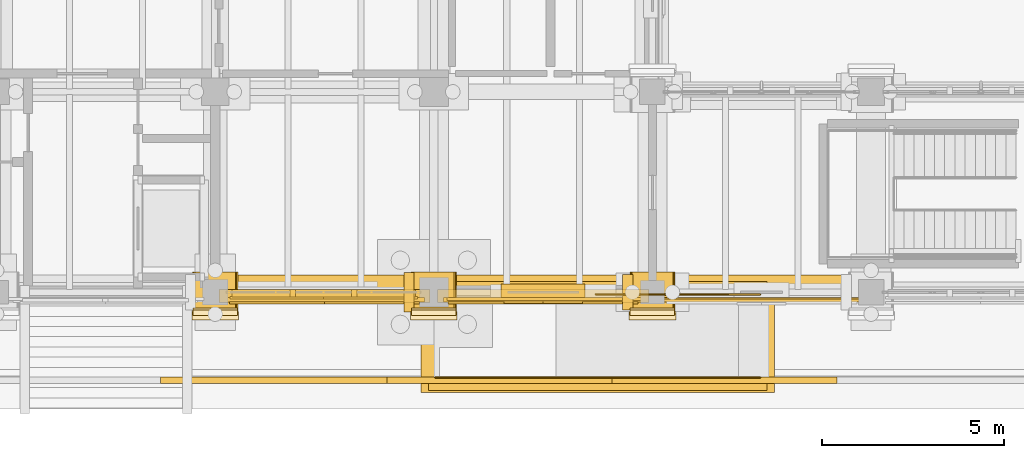
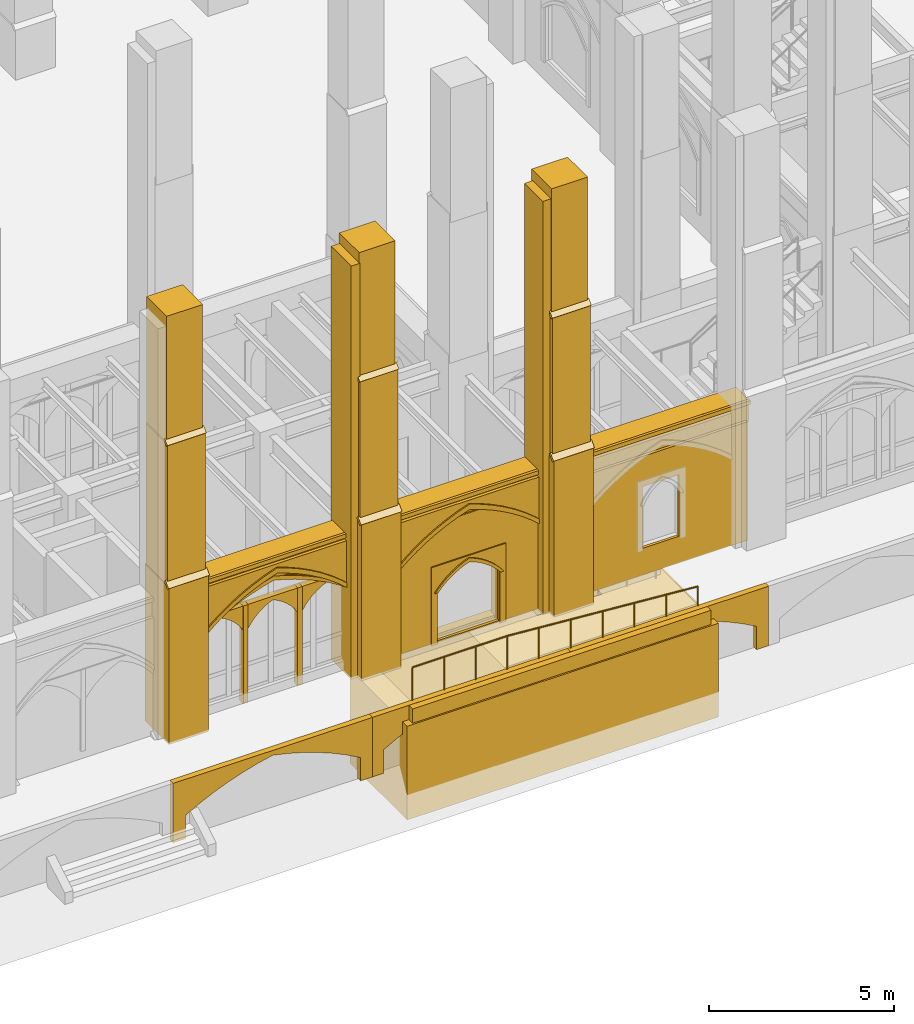
# One storey, part 80 of 135: 44 coverings, 2 railings.
"""IFC4 building model written with IfcOpenShell, lengths in metres."""

from ifc_helpers import new_model, si_unit, direction, frame, origin, origin_2d, place, context, subcontext, project, spatial, polyline, rectangle, circle, outline, extrude, material, type_object, element, save


model = new_model("IFC4")

# Units and contexts
model_context = context("Model", 3, precision=1e-05, world=origin(), true_north=direction((0.0, 1.0)))
body_context = subcontext(model_context, "Body", "Model", "MODEL_VIEW")
ifc_project = project(units=[si_unit("LENGTHUNIT", "METRE"), si_unit("AREAUNIT", "SQUARE_METRE"), si_unit("VOLUMEUNIT", "CUBIC_METRE"), si_unit("PLANEANGLEUNIT", "RADIAN"), si_unit("MASSUNIT", "GRAM", prefix="KILO")], contexts=[model_context])

# Site, building, storey
site_placement = place(None, origin())
site = spatial("IfcSite", under=ifc_project, at=site_placement, CompositionType="ELEMENT")
building_placement = place(site_placement, origin())
building = spatial("IfcBuilding", under=site, at=building_placement, Name="Cumevento Cable Car Station", CompositionType="ELEMENT")
storey_placement = place(building_placement, origin())
storey = spatial("IfcBuildingStorey", under=building, at=storey_placement, Name="L01", CompositionType="ELEMENT", Elevation=0.0)

# Railings
ifc_material_1 = material(Name="Painted Galvanised Architectural Steel", Category="steel")
railing_type = type_object("IfcRailingType", Name="Stair Guardrail GR-S115", PredefinedType="GUARDRAIL", material=ifc_material_1)
railing_1_placement = place(storey_placement, frame((40.050048828125, 1.659912109375, 0.0)))
element("IfcRailing", 1, at=railing_1_placement, inside=storey, type_object=railing_type, Name="Ramp Edge Guardrail RP-02 #194", PredefinedType="GUARDRAIL", context=body_context, shape_type="SweptSolid", body=[
    extrude(circle(Radius=0.02392578125, at=origin_2d()), frame((0.0, 0.0, 1.1259765625), z_axis=(1.0, 0.0, 0.0), x_axis=(0.0, 1.0, 0.0)), (0.0, 0.0, 1.0), 2.949951171875),
    extrude(circle(Radius=0.02392578125, at=origin_2d()), frame((2.949951171875, 0.0, 1.1259765625), z_axis=(0.997152812216, 0.0, -0.075407354352), x_axis=(0.0, 1.0, 0.0)), (0.0, 0.0, 1.0), 5.967041015625),
    extrude(circle(Radius=0.02001953125, at=origin_2d()), origin(), (0.0, 0.0, 1.0), 1.101806640625),
    extrude(circle(Radius=0.02001953125, at=origin_2d()), frame((0.9833984375, 0.0, 0.0)), (0.0, 0.0, 1.0), 1.101806640625),
    extrude(circle(Radius=0.02001953125, at=origin_2d()), frame((1.966552734375, 0.0, 0.0)), (0.0, 0.0, 1.0), 1.101806640625),
    extrude(circle(Radius=0.02001953125, at=origin_2d()), frame((2.949951171875, 0.0, 0.0)), (0.0, 0.0, 1.0), 1.101806640625),
    extrude(circle(Radius=0.02001953125, at=origin_2d()), frame((3.941650390625, 0.0, -0.074951171875)), (0.0, 0.0, 1.0), 1.101806640625),
    extrude(circle(Radius=0.02001953125, at=origin_2d()), frame((4.933349609375, 0.0, -0.14990234375)), (0.0, 0.0, 1.0), 1.101806640625),
    extrude(circle(Radius=0.02001953125, at=origin_2d()), frame((5.9248046875, 0.0, -0.22509765625)), (0.0, 0.0, 1.0), 1.101806640625),
    extrude(circle(Radius=0.02001953125, at=origin_2d()), frame((6.91650390625, 0.0, -0.300048828125)), (0.0, 0.0, 1.0), 1.101806640625),
    extrude(circle(Radius=0.02001953125, at=origin_2d()), frame((7.908203125, 0.0, -0.375)), (0.0, 0.0, 1.0), 1.101806640625),
    extrude(circle(Radius=0.02001953125, at=origin_2d()), frame((8.89990234375, 0.0, -0.449951171875)), (0.0, 0.0, 1.0), 1.101806640625),
])
railing_2_placement = place(storey_placement, frame((44.449951171875, 3.93994140625, -0.108642578125)))
element("IfcRailing", 2, at=railing_2_placement, inside=storey, type_object=railing_type, Name="Ramp Edge Guardrail RP-02 #195", PredefinedType="GUARDRAIL", context=body_context, shape_type="SweptSolid", body=[
    extrude(circle(Radius=0.02392578125, at=origin_2d()), frame((0.0, 0.0, 1.1259765625), z_axis=(0.997136016038, 0.0, -0.075629131425), x_axis=(0.0, 1.0, 0.0)), (0.0, 0.0, 1.0), 4.512939453125),
    extrude(circle(Radius=0.02001953125, at=origin_2d()), origin(), (0.0, 0.0, 1.0), 1.101806640625),
    extrude(circle(Radius=0.02001953125, at=origin_2d()), frame((0.89990234375, 0.0, -0.068359375)), (0.0, 0.0, 1.0), 1.101806640625),
    extrude(circle(Radius=0.02001953125, at=origin_2d()), frame((1.800048828125, 0.0, -0.136474609375)), (0.0, 0.0, 1.0), 1.101806640625),
    extrude(circle(Radius=0.02001953125, at=origin_2d()), frame((2.699951171875, 0.0, -0.204833984375)), (0.0, 0.0, 1.0), 1.101806640625),
    extrude(circle(Radius=0.02001953125, at=origin_2d()), frame((3.60009765625, 0.0, -0.27294921875)), (0.0, 0.0, 1.0), 1.101806640625),
    extrude(circle(Radius=0.02001953125, at=origin_2d()), frame((4.5, 0.0, -0.34130859375)), (0.0, 0.0, 1.0), 1.101806640625),
])

# Coverings
ifc_material_2 = material(Name="Gnaisse Facoidal Stone Ashlar 85 MPa", Category="masonry")
covering_type = type_object("IfcCoveringType", Name="Gnaisse Ashlar Cladding CV-CL01", PredefinedType="CLADDING", material=ifc_material_2)
covering_1_placement = place(storey_placement, frame((34.0, 3.909912109375, -0.06005859375), z_axis=(0.0, 0.0, 1.0), x_axis=(1.0, 0.0, 0.0)))
element("IfcCovering", 3, at=covering_1_placement, inside=storey, type_object=covering_type, Name="Stepped Gothic Stone Buttress Tier 1 bt:34.0:4.0", PredefinedType="CLADDING", context=body_context, shape_type="SweptSolid", body=[
    extrude(rectangle(XDim=1.239990234375, YDim=1.300048828125, at=origin_2d()), origin(), (0.0, 0.0, 1.0), 5.175537109375),
])
covering_2_placement = place(storey_placement, frame((33.360107421875, 3.239990234375, 5.095703125), z_axis=(0.0, -0.711135781079, 0.703054692658), x_axis=(1.0, 0.0, 0.0)))
element("IfcCovering", 4, at=covering_2_placement, inside=storey, type_object=covering_type, Name="Gothic Buttress Sloped Stone Weathering 1 bt:34.0:4.0", PredefinedType="CLADDING", context=body_context, shape_type="SweptSolid", body=[
    extrude(outline(polyline([(0.0, 0.0), (1.27978515625, 0.0), (1.27978515625, 0.24169083397703695), (0.0, 0.24169083397703695), (0.0, 0.0)])), origin(), (0.0, 0.0, -1.0), 0.090087890625),
])
covering_3_placement = place(storey_placement, frame((34.0, 3.969970703125, 4.84326171875), z_axis=(0.0, 0.0, 1.0), x_axis=(1.0, 0.0, 0.0)))
element("IfcCovering", 5, at=covering_3_placement, inside=storey, type_object=covering_type, Name="Stepped Gothic Stone Buttress Tier 2 bt:34.0:4.0", PredefinedType="CLADDING", context=body_context, shape_type="SweptSolid", body=[
    extrude(rectangle(XDim=1.179931640625, YDim=1.179931640625, at=origin_2d()), origin(), (0.0, 0.0, 1.0), 4.9033203125),
])
covering_4_placement = place(storey_placement, frame((33.389892578125, 3.360107421875, 9.726318359375), z_axis=(0.0, -0.714474823669, 0.699661151089), x_axis=(1.0, 0.0, 0.0)))
element("IfcCovering", 6, at=covering_4_placement, inside=storey, type_object=covering_type, Name="Gothic Buttress Sloped Stone Weathering 2 bt:34.0:4.0", PredefinedType="CLADDING", context=body_context, shape_type="SweptSolid", body=[
    extrude(outline(polyline([(0.0, 0.0), (1.22021484375, 0.0), (1.22021484375, 0.21424991728737655), (0.0, 0.21424991728737655), (0.0, 0.0)])), origin(), (0.0, 0.0, -1.0), 0.090087890625),
])
covering_5_placement = place(storey_placement, frame((34.0, 4.02001953125, 9.47412109375), z_axis=(0.0, 0.0, 1.0), x_axis=(1.0, 0.0, 0.0)))
element("IfcCovering", 7, at=covering_5_placement, inside=storey, type_object=covering_type, Name="Stepped Gothic Stone Buttress Tier 3 bt:34.0:4.0", PredefinedType="CLADDING", context=body_context, shape_type="SweptSolid", body=[
    extrude(rectangle(XDim=1.1201171875, YDim=1.080078125, at=origin_2d()), origin(), (0.0, 0.0, 1.0), 4.426025390625),
])
covering_6_placement = place(storey_placement, frame((40.0, 3.909912109375, -0.06005859375), z_axis=(0.0, 0.0, 1.0), x_axis=(1.0, 0.0, 0.0)))
element("IfcCovering", 8, at=covering_6_placement, inside=storey, type_object=covering_type, Name="Stepped Gothic Stone Buttress Tier 1 bt:40.0:4.0", PredefinedType="CLADDING", context=body_context, shape_type="SweptSolid", body=[
    extrude(rectangle(XDim=1.239990234375, YDim=1.300048828125, at=origin_2d()), origin(), (0.0, 0.0, 1.0), 5.175537109375),
])
covering_7_placement = place(storey_placement, frame((39.360107421875, 3.239990234375, 5.095703125), z_axis=(0.0, -0.711135781079, 0.703054692658), x_axis=(1.0, 0.0, 0.0)))
element("IfcCovering", 9, at=covering_7_placement, inside=storey, type_object=covering_type, Name="Gothic Buttress Sloped Stone Weathering 1 bt:40.0:4.0", PredefinedType="CLADDING", context=body_context, shape_type="SweptSolid", body=[
    extrude(outline(polyline([(0.0, 0.0), (1.27978515625, 0.0), (1.27978515625, 0.24169083397703695), (0.0, 0.24169083397703695), (0.0, 0.0)])), origin(), (0.0, 0.0, -1.0), 0.090087890625),
])
covering_8_placement = place(storey_placement, frame((40.0, 3.969970703125, 4.84326171875), z_axis=(0.0, 0.0, 1.0), x_axis=(1.0, 0.0, 0.0)))
element("IfcCovering", 10, at=covering_8_placement, inside=storey, type_object=covering_type, Name="Stepped Gothic Stone Buttress Tier 2 bt:40.0:4.0", PredefinedType="CLADDING", context=body_context, shape_type="SweptSolid", body=[
    extrude(rectangle(XDim=1.179931640625, YDim=1.179931640625, at=origin_2d()), origin(), (0.0, 0.0, 1.0), 4.9033203125),
])
covering_9_placement = place(storey_placement, frame((39.389892578125, 3.360107421875, 9.726318359375), z_axis=(0.0, -0.714474823669, 0.699661151089), x_axis=(1.0, 0.0, 0.0)))
element("IfcCovering", 11, at=covering_9_placement, inside=storey, type_object=covering_type, Name="Gothic Buttress Sloped Stone Weathering 2 bt:40.0:4.0", PredefinedType="CLADDING", context=body_context, shape_type="SweptSolid", body=[
    extrude(outline(polyline([(0.0, 0.0), (1.22021484375, 0.0), (1.22021484375, 0.21424991728737655), (0.0, 0.21424991728737655), (0.0, 0.0)])), origin(), (0.0, 0.0, -1.0), 0.090087890625),
])
covering_10_placement = place(storey_placement, frame((40.0, 4.02001953125, 9.47412109375), z_axis=(0.0, 0.0, 1.0), x_axis=(1.0, 0.0, 0.0)))
element("IfcCovering", 12, at=covering_10_placement, inside=storey, type_object=covering_type, Name="Stepped Gothic Stone Buttress Tier 3 bt:40.0:4.0", PredefinedType="CLADDING", context=body_context, shape_type="SweptSolid", body=[
    extrude(rectangle(XDim=1.1201171875, YDim=1.080078125, at=origin_2d()), origin(), (0.0, 0.0, 1.0), 4.426025390625),
])
covering_11_placement = place(storey_placement, frame((39.320068359375, 4.0, -0.06005859375), z_axis=(0.0, 0.0, 1.0), x_axis=(1.0, 0.0, 0.0)))
element("IfcCovering", 13, at=covering_11_placement, inside=storey, type_object=covering_type, Name="Corner Buttress Stone Return (40.0,4.0)", PredefinedType="CLADDING", context=body_context, shape_type="SweptSolid", body=[
    extrude(rectangle(XDim=0.280029296875, YDim=1.080078125, at=origin_2d()), origin(), (0.0, 0.0, 1.0), 13.6201171875),
])
covering_12_placement = place(storey_placement, frame((46.0, 3.909912109375, -0.06005859375), z_axis=(0.0, 0.0, 1.0), x_axis=(1.0, 0.0, 0.0)))
element("IfcCovering", 14, at=covering_12_placement, inside=storey, type_object=covering_type, Name="Stepped Gothic Stone Buttress Tier 1 bt:46.0:4.0", PredefinedType="CLADDING", context=body_context, shape_type="SweptSolid", body=[
    extrude(rectangle(XDim=1.239990234375, YDim=1.300048828125, at=origin_2d()), origin(), (0.0, 0.0, 1.0), 5.175537109375),
])
covering_13_placement = place(storey_placement, frame((45.360107421875, 3.239990234375, 5.095703125), z_axis=(0.0, -0.711135781079, 0.703054692658), x_axis=(1.0, 0.0, 0.0)))
element("IfcCovering", 15, at=covering_13_placement, inside=storey, type_object=covering_type, Name="Gothic Buttress Sloped Stone Weathering 1 bt:46.0:4.0", PredefinedType="CLADDING", context=body_context, shape_type="SweptSolid", body=[
    extrude(outline(polyline([(0.0, 0.0), (1.27978515625, 0.0), (1.27978515625, 0.24169083397703695), (0.0, 0.24169083397703695), (0.0, 0.0)])), origin(), (0.0, 0.0, -1.0), 0.090087890625),
])
covering_14_placement = place(storey_placement, frame((46.0, 3.969970703125, 4.84326171875), z_axis=(0.0, 0.0, 1.0), x_axis=(1.0, 0.0, 0.0)))
element("IfcCovering", 16, at=covering_14_placement, inside=storey, type_object=covering_type, Name="Stepped Gothic Stone Buttress Tier 2 bt:46.0:4.0", PredefinedType="CLADDING", context=body_context, shape_type="SweptSolid", body=[
    extrude(rectangle(XDim=1.179931640625, YDim=1.179931640625, at=origin_2d()), origin(), (0.0, 0.0, 1.0), 4.9033203125),
])
covering_15_placement = place(storey_placement, frame((45.389892578125, 3.360107421875, 9.726318359375), z_axis=(0.0, -0.714474823669, 0.699661151089), x_axis=(1.0, 0.0, 0.0)))
element("IfcCovering", 17, at=covering_15_placement, inside=storey, type_object=covering_type, Name="Gothic Buttress Sloped Stone Weathering 2 bt:46.0:4.0", PredefinedType="CLADDING", context=body_context, shape_type="SweptSolid", body=[
    extrude(outline(polyline([(0.0, 0.0), (1.22021484375, 0.0), (1.22021484375, 0.21424991728737655), (0.0, 0.21424991728737655), (0.0, 0.0)])), origin(), (0.0, 0.0, -1.0), 0.090087890625),
])
covering_16_placement = place(storey_placement, frame((46.0, 4.02001953125, 9.47412109375), z_axis=(0.0, 0.0, 1.0), x_axis=(1.0, 0.0, 0.0)))
element("IfcCovering", 18, at=covering_16_placement, inside=storey, type_object=covering_type, Name="Stepped Gothic Stone Buttress Tier 3 bt:46.0:4.0", PredefinedType="CLADDING", context=body_context, shape_type="SweptSolid", body=[
    extrude(rectangle(XDim=1.1201171875, YDim=1.080078125, at=origin_2d()), origin(), (0.0, 0.0, 1.0), 4.426025390625),
])
covering_17_placement = place(storey_placement, frame((45.320068359375, 4.0, -0.06005859375), z_axis=(0.0, 0.0, 1.0), x_axis=(1.0, 0.0, 0.0)))
element("IfcCovering", 19, at=covering_17_placement, inside=storey, type_object=covering_type, Name="Corner Buttress Stone Return (46.0,4.0)", PredefinedType="CLADDING", context=body_context, shape_type="SweptSolid", body=[
    extrude(rectangle(XDim=0.280029296875, YDim=0.97998046875, at=origin_2d()), origin(), (0.0, 0.0, 1.0), 13.6201171875),
])
covering_18_placement = place(storey_placement, frame((36.97509765625, 4.14990234375, 3.821044921875), z_axis=(0.0, 0.0, 1.0), x_axis=(-1.0, 0.0, 0.0)))
element("IfcCovering", 20, at=covering_18_placement, inside=storey, type_object=covering_type, Name="Gothic Stone Spandrel Stringcourse sc:0003", PredefinedType="CLADDING", context=body_context, shape_type="SweptSolid", body=[
    extrude(rectangle(XDim=5.489990234375, YDim=0.659912109375, at=origin_2d()), origin(), (0.0, 0.0, 1.0), 0.7470703125),
])
covering_19_placement = place(storey_placement, frame((36.97509765625, 3.79248046875, 4.43798828125), z_axis=(0.0, 0.0, 1.0), x_axis=(-1.0, 0.0, 0.0)))
element("IfcCovering", 21, at=covering_19_placement, inside=storey, type_object=covering_type, Name="Gothic Cornice Dripstone Lip sc:0003", PredefinedType="CLADDING", context=body_context, shape_type="SweptSolid", body=[
    extrude(rectangle(XDim=5.530029296875, YDim=0.114990234375, at=origin_2d()), origin(), (0.0, 0.0, 1.0), 0.1298828125),
])
covering_20_placement = place(storey_placement, frame((43.03759765625, 4.14990234375, 3.80908203125), z_axis=(0.0, 0.0, 1.0), x_axis=(-1.0, 0.0, 0.0)))
element("IfcCovering", 22, at=covering_20_placement, inside=storey, type_object=covering_type, Name="Gothic Stone Spandrel Stringcourse sc:0004", PredefinedType="CLADDING", context=body_context, shape_type="SweptSolid", body=[
    extrude(rectangle(XDim=5.514892578125, YDim=0.659912109375, at=origin_2d()), origin(), (0.0, 0.0, 1.0), 0.7470703125),
])
covering_21_placement = place(storey_placement, frame((43.03759765625, 3.79248046875, 4.426025390625), z_axis=(0.0, 0.0, 1.0), x_axis=(-1.0, 0.0, 0.0)))
element("IfcCovering", 23, at=covering_21_placement, inside=storey, type_object=covering_type, Name="Gothic Cornice Dripstone Lip sc:0004", PredefinedType="CLADDING", context=body_context, shape_type="SweptSolid", body=[
    extrude(rectangle(XDim=5.554931640625, YDim=0.114990234375, at=origin_2d()), origin(), (0.0, 0.0, 1.0), 0.1298828125),
])
covering_22_placement = place(storey_placement, frame((48.987548828125, 4.14990234375, 3.80908203125), z_axis=(0.0, 0.0, 1.0), x_axis=(-1.0, 0.0, 0.0)))
element("IfcCovering", 24, at=covering_22_placement, inside=storey, type_object=covering_type, Name="Gothic Stone Spandrel Stringcourse sc:0012", PredefinedType="CLADDING", context=body_context, shape_type="SweptSolid", body=[
    extrude(rectangle(XDim=5.56494140625, YDim=0.659912109375, at=origin_2d()), origin(), (0.0, 0.0, 1.0), 0.7470703125),
])
covering_23_placement = place(storey_placement, frame((48.987548828125, 3.79248046875, 4.426025390625), z_axis=(0.0, 0.0, 1.0), x_axis=(-1.0, 0.0, 0.0)))
element("IfcCovering", 25, at=covering_23_placement, inside=storey, type_object=covering_type, Name="Gothic Cornice Dripstone Lip sc:0012", PredefinedType="CLADDING", context=body_context, shape_type="SweptSolid", body=[
    extrude(rectangle(XDim=5.60498046875, YDim=0.114990234375, at=origin_2d()), origin(), (0.0, 0.0, 1.0), 0.1298828125),
])
placement = place(storey_placement, frame((39.60009765625, 4.0, 0.0), z_axis=(0.0, 0.0, 1.0), x_axis=(-1.0, 0.0, 0.0)))
element("IfcCovering", 26, at=placement, inside=storey, type_object=covering_type, Name="Gothic Ogival Pointed-Arch Stone Spandrel cw_ogival:0003", PredefinedType="CLADDING", context=body_context, shape_type="SweptSolid", body=[
    extrude(outline(polyline([(-0.080078125, 0.0), (-0.080078125, 3.9609375), (5.330078125, 3.9609375), (5.330078125, 0.0), (5.090087890625, 0.0), (5.090087890625, 2.595458984375), (4.810546875, 2.794677734375), (4.521484375, 2.9794921875), (4.223388671875, 3.1494140625), (3.9169921875, 3.303955078125), (3.60302734375, 3.442626953125), (3.282470703125, 3.5654296875), (2.956298828125, 3.671630859375), (2.625, 3.760986328125), (2.293701171875, 3.671630859375), (1.967529296875, 3.5654296875), (1.64697265625, 3.442626953125), (1.3330078125, 3.303955078125), (1.026611328125, 3.1494140625), (0.728515625, 2.9794921875), (0.439453125, 2.794677734375), (0.159912109375, 2.595458984375), (0.159912109375, 0.0), (-0.080078125, 0.0)])), frame((0.0, 0.139892578125, 0.0), z_axis=(0.0, -1.0, 0.0), x_axis=(1.0, 0.0, 0.0)), (0.0, 0.0, 1.0), 0.219970703125),
])
covering_25_placement = place(storey_placement, frame((39.60009765625, 4.0, 2.595458984375), z_axis=(0.0, 0.0, 1.0), x_axis=(-1.0, 0.0, 0.0)))
element("IfcCovering", 27, at=covering_25_placement, inside=storey, type_object=covering_type, Name="Gothic Pointed Archivolt Hood Moulding cw_ogival:0003", PredefinedType="CLADDING", context=body_context, shape_type="SweptSolid", body=[
    extrude(outline(polyline([(0.159912109375, 0.0), (0.439453125, 0.19921875), (0.728515625, 0.384033203125), (1.026611328125, 0.553955078125), (1.3330078125, 0.70849609375), (1.64697265625, 0.84716796875), (1.967529296875, 0.969970703125), (2.293701171875, 1.076171875), (2.625, 1.16552734375), (2.956298828125, 1.076171875), (3.282470703125, 0.969970703125), (3.60302734375, 0.84716796875), (3.9169921875, 0.70849609375), (4.223388671875, 0.553955078125), (4.521484375, 0.384033203125), (4.810546875, 0.19921875), (5.090087890625, 0.0), (5.199951171875, 0.0), (4.912109375, 0.221923828125), (4.61279296875, 0.42822265625), (4.302734375, 0.617919921875), (3.98291015625, 0.790771484375), (3.654296875, 0.946044921875), (3.31787109375, 1.08349609375), (2.974365234375, 1.20263671875), (2.625, 1.302978515625), (2.275634765625, 1.20263671875), (1.93212890625, 1.08349609375), (1.595703125, 0.946044921875), (1.26708984375, 0.790771484375), (0.947265625, 0.617919921875), (0.63720703125, 0.42822265625), (0.337890625, 0.221923828125), (0.050048828125, 0.0), (0.159912109375, 0.0)])), frame((0.0, 0.181884765625, 0.0), z_axis=(0.0, -1.0, 0.0), x_axis=(1.0, 0.0, 0.0)), (0.0, 0.0, 1.0), 0.06689453125),
])
element("IfcCovering", 28, at=placement, inside=storey, type_object=covering_type, Name="Gothic Bifora Stone Colonnette cw_ogival:0003 #1", PredefinedType="CLADDING", context=body_context, shape_type="SweptSolid", body=[
    extrude(outline(polyline([(1.703369140625, -0.02001953125), (1.853271484375, -0.02001953125), (1.853271484375, 3.201416015625), (1.703369140625, 3.201416015625), (1.703369140625, -0.02001953125)])), frame((0.0, 0.1279296875, 0.0), z_axis=(0.0, -1.0, 0.0), x_axis=(1.0, 0.0, 0.0)), (0.0, 0.0, 1.0), 0.205078125),
])
element("IfcCovering", 29, at=placement, inside=storey, type_object=covering_type, Name="Gothic Bifora Stone Colonnette cw_ogival:0003 #2", PredefinedType="CLADDING", context=body_context, shape_type="SweptSolid", body=[
    extrude(outline(polyline([(3.396728515625, -0.02001953125), (3.546630859375, -0.02001953125), (3.546630859375, 3.201416015625), (3.396728515625, 3.201416015625), (3.396728515625, -0.02001953125)])), frame((0.0, 0.1279296875, 0.0), z_axis=(0.0, -1.0, 0.0), x_axis=(1.0, 0.0, 0.0)), (0.0, 0.0, 1.0), 0.205078125),
])
for number, where, z_axis, x_axis, name in (
    (30, (39.469970703125, 4.0, 2.415283203125), (0.0, 0.0, 1.0), (-1.0, 0.0, 0.0), "Gothic Ogival Pointed-Arch Stone Spandrel cw_ogival:0003:sub:0"),
    (31, (37.776611328125, 4.0, 2.415283203125), (0.0, 0.0, 1.0), (-1.0, 0.0, 0.0), "Gothic Ogival Pointed-Arch Stone Spandrel cw_ogival:0003:sub:1"),
    (32, (36.083251953125, 4.0, 2.415283203125), (0.0, 0.0, 1.0), (-1.0, 0.0, 0.0), "Gothic Ogival Pointed-Arch Stone Spandrel cw_ogival:0003:sub:2"),
):
    element("IfcCovering", number, at=place(storey_placement, frame(where, z_axis=z_axis, x_axis=x_axis)), inside=storey, type_object=covering_type, Name=name, PredefinedType="CLADDING", context=body_context, shape_type="SweptSolid", body=[
        extrude(outline(polyline([(-0.02001953125, 0.0), (-0.02001953125, 0.7861328125), (1.623291015625, 0.7861328125), (1.623291015625, 0.0), (1.563232421875, 0.0), (1.4697265625, 0.143798828125), (1.36083984375, 0.276611328125), (1.238037109375, 0.396484375), (1.102783203125, 0.502197265625), (0.956787109375, 0.592529296875), (0.8017578125, 0.666015625), (0.646484375, 0.592529296875), (0.50048828125, 0.502197265625), (0.365234375, 0.396484375), (0.242431640625, 0.276611328125), (0.133544921875, 0.143798828125), (0.0400390625, 0.0), (-0.02001953125, 0.0)])), frame((0.0, 0.1240234375, 0.0), z_axis=(0.0, -1.0, 0.0), x_axis=(1.0, 0.0, 0.0)), (0.0, 0.0, 1.0), 0.199951171875),
    ])
covering_28_placement = place(storey_placement, frame((45.675048828125, 4.0, 0.0), z_axis=(0.0, 0.0, 1.0), x_axis=(-1.0, 0.0, 0.0)))
element("IfcCovering", 33, at=covering_28_placement, inside=storey, type_object=covering_type, Name="Exterior Gnaisse Stone Wall Ashlar #112", PredefinedType="CLADDING", context=body_context, shape_type="SweptSolid", body=[
    extrude(outline(polyline([(-0.0400390625, -0.02001953125), (5.31494140625, -0.02001953125), (5.31494140625, 3.888916015625), (-0.0400390625, 3.888916015625), (-0.0400390625, -0.02001953125)]), holes=[polyline([(1.7099609375, 0.02001953125), (3.639892578125, 0.02001953125), (3.639892578125, 2.2900390625), (1.7099609375, 2.2900390625), (1.7099609375, 0.02001953125)])]), frame((0.0, 0.22998046875, 0.0), z_axis=(0.0, -1.0, 0.0), x_axis=(1.0, 0.0, 0.0)), (0.0, 0.0, 1.0), 0.0849609375),
])
covering_29_placement = place(storey_placement, frame((44.114990234375, 4.0, -0.050048828125), z_axis=(0.0, 0.0, 1.0), x_axis=(-1.0, 0.0, 0.0)))
element("IfcCovering", 34, at=covering_29_placement, inside=storey, type_object=covering_type, Name="Gothic Ogival Pointed-Arch Stone Spandrel op_ogival:0112:1", PredefinedType="CLADDING", context=body_context, shape_type="SweptSolid", body=[
    extrude(outline(polyline([(-0.0400390625, 0.0), (-0.0400390625, 2.570068359375), (2.27001953125, 2.570068359375), (2.27001953125, 0.0), (2.090087890625, 0.0), (2.090087890625, 1.7060546875), (1.9765625, 1.8359375), (1.853271484375, 1.956298828125), (1.720458984375, 2.066162109375), (1.579345703125, 2.165283203125), (1.4306640625, 2.25244140625), (1.275634765625, 2.32763671875), (1.114990234375, 2.39013671875), (0.954345703125, 2.32763671875), (0.79931640625, 2.25244140625), (0.650634765625, 2.165283203125), (0.509521484375, 2.066162109375), (0.376708984375, 1.956298828125), (0.25341796875, 1.8359375), (0.139892578125, 1.7060546875), (0.139892578125, 0.0), (-0.0400390625, 0.0)])), frame((0.0, 0.26806640625, 0.0), z_axis=(0.0, -1.0, 0.0), x_axis=(1.0, 0.0, 0.0)), (0.0, 0.0, 1.0), 0.489990234375),
])
covering_30_placement = place(storey_placement, frame((44.114990234375, 4.0, 1.656005859375), z_axis=(0.0, 0.0, 1.0), x_axis=(-1.0, 0.0, 0.0)))
element("IfcCovering", 35, at=covering_30_placement, inside=storey, type_object=covering_type, Name="Gothic Pointed Archivolt Hood Moulding op_ogival:0112:1", PredefinedType="CLADDING", context=body_context, shape_type="SweptSolid", body=[
    extrude(outline(polyline([(0.139892578125, 0.0), (0.25341796875, 0.1298828125), (0.376708984375, 0.250244140625), (0.509521484375, 0.360107421875), (0.650634765625, 0.459228515625), (0.79931640625, 0.54638671875), (0.954345703125, 0.62158203125), (1.114990234375, 0.68408203125), (1.275634765625, 0.62158203125), (1.4306640625, 0.54638671875), (1.579345703125, 0.459228515625), (1.720458984375, 0.360107421875), (1.853271484375, 0.250244140625), (1.9765625, 0.1298828125), (2.090087890625, 0.0), (2.18896484375, 0.0), (2.06787109375, 0.15234375), (1.93408203125, 0.294189453125), (1.788818359375, 0.423828125), (1.63330078125, 0.541015625), (1.46826171875, 0.64453125), (1.295166015625, 0.733642578125), (1.114990234375, 0.807861328125), (0.934814453125, 0.733642578125), (0.76171875, 0.64453125), (0.5966796875, 0.541015625), (0.441162109375, 0.423828125), (0.2958984375, 0.294189453125), (0.162109375, 0.15234375), (0.041015625, 0.0), (0.139892578125, 0.0)])), frame((0.0, 0.31005859375, 0.0), z_axis=(0.0, -1.0, 0.0), x_axis=(1.0, 0.0, 0.0)), (0.0, 0.0, 1.0), 0.06689453125),
])
covering_31_placement = place(storey_placement, frame((51.64990234375, 4.0, 0.0), z_axis=(0.0, 0.0, 1.0), x_axis=(-1.0, 0.0, 0.0)))
element("IfcCovering", 36, at=covering_31_placement, inside=storey, type_object=covering_type, Name="Exterior Gnaisse Stone Wall Ashlar #117", PredefinedType="CLADDING", context=body_context, shape_type="SweptSolid", body=[
    extrude(outline(polyline([(-0.0400390625, -0.02001953125), (5.364990234375, -0.02001953125), (5.364990234375, 3.888916015625), (-0.0400390625, 3.888916015625), (-0.0400390625, -0.02001953125)]), holes=[polyline([(2.097412109375, 0.860107421875), (3.2275390625, 0.860107421875), (3.2275390625, 2.889892578125), (2.097412109375, 2.889892578125), (2.097412109375, 0.860107421875)])]), frame((0.0, 0.27001953125, 0.0), z_axis=(0.0, -1.0, 0.0), x_axis=(1.0, 0.0, 0.0)), (0.0, 0.0, 1.0), 0.0849609375),
])
covering_32_placement = place(storey_placement, frame((39.64990234375, 4.0, 0.0), z_axis=(0.0, 0.0, 1.0), x_axis=(-1.0, 0.0, 0.0)))
element("IfcCovering", 37, at=covering_32_placement, inside=storey, type_object=covering_type, Name="Gothic Ogival Pointed-Arch Stone Spandrel south_arcade:01", PredefinedType="CLADDING", context=body_context, shape_type="SweptSolid", body=[
    extrude(outline(polyline([(-0.25, 0.0), (-0.25, 4.35009765625), (5.550048828125, 4.35009765625), (5.550048828125, 0.0), (5.1201171875, 0.0), (5.1201171875, 2.550048828125), (4.85791015625, 2.80615234375), (4.580078125, 3.044921875), (4.287841796875, 3.265869140625), (3.98193359375, 3.467529296875), (3.6640625, 3.649658203125), (3.335205078125, 3.81103515625), (2.996826171875, 3.951416015625), (2.64990234375, 4.070068359375), (2.30322265625, 3.951416015625), (1.96484375, 3.81103515625), (1.635986328125, 3.649658203125), (1.318115234375, 3.467529296875), (1.01220703125, 3.265869140625), (0.719970703125, 3.044921875), (0.442138671875, 2.80615234375), (0.179931640625, 2.550048828125), (0.179931640625, 0.0), (-0.25, 0.0)])), frame((0.0, 0.280029296875, 0.0), z_axis=(0.0, -1.0, 0.0), x_axis=(1.0, 0.0, 0.0)), (0.0, 0.0, 1.0), 0.360107421875),
])
covering_33_placement = place(storey_placement, frame((39.64990234375, 4.0, 2.550048828125), z_axis=(0.0, 0.0, 1.0), x_axis=(-1.0, 0.0, 0.0)))
element("IfcCovering", 38, at=covering_33_placement, inside=storey, type_object=covering_type, Name="Gothic Pointed Archivolt Hood Moulding south_arcade:01", PredefinedType="CLADDING", context=body_context, shape_type="SweptSolid", body=[
    extrude(outline(polyline([(0.179931640625, 0.0), (0.442138671875, 0.256103515625), (0.719970703125, 0.494873046875), (1.01220703125, 0.7158203125), (1.318115234375, 0.91748046875), (1.635986328125, 1.099609375), (1.96484375, 1.260986328125), (2.30322265625, 1.4013671875), (2.64990234375, 1.52001953125), (2.996826171875, 1.4013671875), (3.335205078125, 1.260986328125), (3.6640625, 1.099609375), (3.98193359375, 0.91748046875), (4.287841796875, 0.7158203125), (4.580078125, 0.494873046875), (4.85791015625, 0.256103515625), (5.1201171875, 0.0), (5.260009765625, 0.0), (4.988037109375, 0.284423828125), (4.697998046875, 0.55029296875), (4.390625, 0.796142578125), (4.06787109375, 1.021484375), (3.73095703125, 1.224609375), (3.38134765625, 1.4052734375), (3.0205078125, 1.562255859375), (2.64990234375, 1.695068359375), (2.279541015625, 1.562255859375), (1.918701171875, 1.4052734375), (1.569091796875, 1.224609375), (1.232177734375, 1.021484375), (0.909423828125, 0.796142578125), (0.60205078125, 0.55029296875), (0.31201171875, 0.284423828125), (0.0400390625, 0.0), (0.179931640625, 0.0)])), frame((0.0, 0.322021484375, 0.0), z_axis=(0.0, -1.0, 0.0), x_axis=(1.0, 0.0, 0.0)), (0.0, 0.0, 1.0), 0.06689453125),
])
covering_34_placement = place(storey_placement, frame((45.64990234375, 4.0, 0.0), z_axis=(0.0, 0.0, 1.0), x_axis=(-1.0, 0.0, 0.0)))
element("IfcCovering", 39, at=covering_34_placement, inside=storey, type_object=covering_type, Name="Gothic Ogival Pointed-Arch Stone Spandrel south_arcade:02", PredefinedType="CLADDING", context=body_context, shape_type="SweptSolid", body=[
    extrude(outline(polyline([(-0.25, 0.0), (-0.25, 4.35009765625), (5.550048828125, 4.35009765625), (5.550048828125, 0.0), (5.1201171875, 0.0), (5.1201171875, 2.550048828125), (4.85791015625, 2.80615234375), (4.580078125, 3.044921875), (4.287841796875, 3.265869140625), (3.98193359375, 3.467529296875), (3.6640625, 3.649658203125), (3.335205078125, 3.81103515625), (2.996826171875, 3.951416015625), (2.64990234375, 4.070068359375), (2.30322265625, 3.951416015625), (1.96484375, 3.81103515625), (1.635986328125, 3.649658203125), (1.318115234375, 3.467529296875), (1.01220703125, 3.265869140625), (0.719970703125, 3.044921875), (0.442138671875, 2.80615234375), (0.179931640625, 2.550048828125), (0.179931640625, 0.0), (-0.25, 0.0)])), frame((0.0, 0.280029296875, 0.0), z_axis=(0.0, -1.0, 0.0), x_axis=(1.0, 0.0, 0.0)), (0.0, 0.0, 1.0), 0.360107421875),
])
covering_35_placement = place(storey_placement, frame((45.64990234375, 4.0, 2.550048828125), z_axis=(0.0, 0.0, 1.0), x_axis=(-1.0, 0.0, 0.0)))
element("IfcCovering", 40, at=covering_35_placement, inside=storey, type_object=covering_type, Name="Gothic Pointed Archivolt Hood Moulding south_arcade:02", PredefinedType="CLADDING", context=body_context, shape_type="SweptSolid", body=[
    extrude(outline(polyline([(0.179931640625, 0.0), (0.442138671875, 0.256103515625), (0.719970703125, 0.494873046875), (1.01220703125, 0.7158203125), (1.318115234375, 0.91748046875), (1.635986328125, 1.099609375), (1.96484375, 1.260986328125), (2.30322265625, 1.4013671875), (2.64990234375, 1.52001953125), (2.996826171875, 1.4013671875), (3.335205078125, 1.260986328125), (3.6640625, 1.099609375), (3.98193359375, 0.91748046875), (4.287841796875, 0.7158203125), (4.580078125, 0.494873046875), (4.85791015625, 0.256103515625), (5.1201171875, 0.0), (5.260009765625, 0.0), (4.988037109375, 0.284423828125), (4.697998046875, 0.55029296875), (4.390625, 0.796142578125), (4.06787109375, 1.021484375), (3.73095703125, 1.224609375), (3.38134765625, 1.4052734375), (3.0205078125, 1.562255859375), (2.64990234375, 1.695068359375), (2.279541015625, 1.562255859375), (1.918701171875, 1.4052734375), (1.569091796875, 1.224609375), (1.232177734375, 1.021484375), (0.909423828125, 0.796142578125), (0.60205078125, 0.55029296875), (0.31201171875, 0.284423828125), (0.0400390625, 0.0), (0.179931640625, 0.0)])), frame((0.0, 0.322021484375, 0.0), z_axis=(0.0, -1.0, 0.0), x_axis=(1.0, 0.0, 0.0)), (0.0, 0.0, 1.0), 0.06689453125),
])
for number, where, z_axis, x_axis, name in (
    (41, (38.6943359375, 1.64990234375, -1.919921875), (0.0, 0.0, 1.0), (-1.0, 0.0, 0.0), "Gothic Ogival Pointed-Arch Stone Spandrel cumevento_plinth:plinth_arch:S:5"),
    (42, (44.868408203125, 1.64990234375, -1.919921875), (0.0, 0.0, 1.0), (-1.0, 0.0, 0.0), "Gothic Ogival Pointed-Arch Stone Spandrel cumevento_plinth:plinth_arch:S:6"),
    (43, (51.04248046875, 1.64990234375, -1.919921875), (0.0, 0.0, 1.0), (-1.0, 0.0, 0.0), "Gothic Ogival Pointed-Arch Stone Spandrel cumevento_plinth:plinth_arch:S:7"),
):
    element("IfcCovering", number, at=place(storey_placement, frame(where, z_axis=z_axis, x_axis=x_axis)), inside=storey, type_object=covering_type, Name=name, PredefinedType="CLADDING", context=body_context, shape_type="SweptSolid", body=[
        extrude(outline(polyline([(-0.02001953125, 0.0), (-0.02001953125, 1.9599609375), (6.194091796875, 1.9599609375), (6.194091796875, 0.0), (5.81396484375, 0.0), (5.81396484375, 0.77001953125), (5.3857421875, 1.00390625), (4.945068359375, 1.213623046875), (4.493408203125, 1.3984375), (4.0322265625, 1.558349609375), (3.56298828125, 1.692138671875), (3.087158203125, 1.800048828125), (2.611083984375, 1.692138671875), (2.141845703125, 1.558349609375), (1.6806640625, 1.3984375), (1.22900390625, 1.213623046875), (0.788330078125, 1.00390625), (0.360107421875, 0.77001953125), (0.360107421875, 0.0), (-0.02001953125, 0.0)])), frame((0.0, 0.14990234375, 0.0), z_axis=(0.0, -1.0, 0.0), x_axis=(1.0, 0.0, 0.0)), (0.0, 0.0, 1.0), 0.179931640625),
    ])
covering_36_placement = place(storey_placement, frame((0.0, 0.0, -3.52001953125)))
element("IfcCovering", 44, at=covering_36_placement, inside=storey, type_object=covering_type, Name="Ramp Sub-Base Stone Bed (40.0,1.6)", PredefinedType="CLADDING", context=body_context, shape_type="SweptSolid", body=[
    extrude(outline(polyline([(49.35009765625, 1.25), (49.35009765625, 4.35009765625), (39.64990234375, 4.35009765625), (39.64990234375, 1.25), (49.35009765625, 1.25)])), origin(), (0.0, 0.0, 1.0), 3.090087890625),
])
for number, where, z_axis, x_axis, name in (
    (45, (44.5, 1.43994140625, -0.4501953125), (0.0, 0.0, 1.0), (1.0, 0.0, 0.0), "Ramp Stone Cheek Wall (40.0,1.4)"),
    (46, (44.5, 4.159912109375, -0.4501953125), (0.0, 0.0, 1.0), (1.0, 0.0, 0.0), "Ramp Stone Cheek Wall (40.0,4.2)"),
):
    element("IfcCovering", number, at=place(storey_placement, frame(where, z_axis=z_axis, x_axis=x_axis)), inside=storey, type_object=covering_type, Name=name, PredefinedType="CLADDING", context=body_context, shape_type="SweptSolid", body=[
        extrude(rectangle(XDim=9.300048828125, YDim=0.280029296875, at=origin_2d()), origin(), (0.0, 0.0, 1.0), 0.489990234375),
    ])

save(model, "model.ifc")
